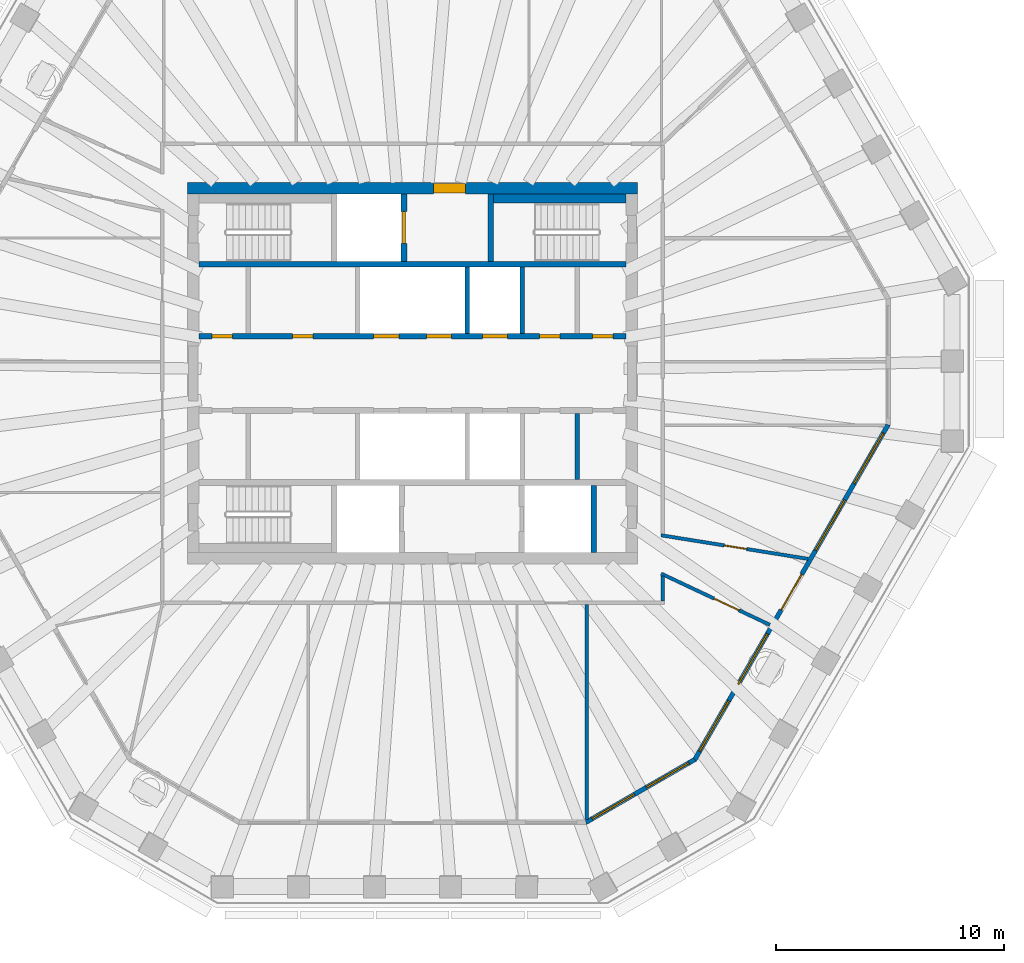
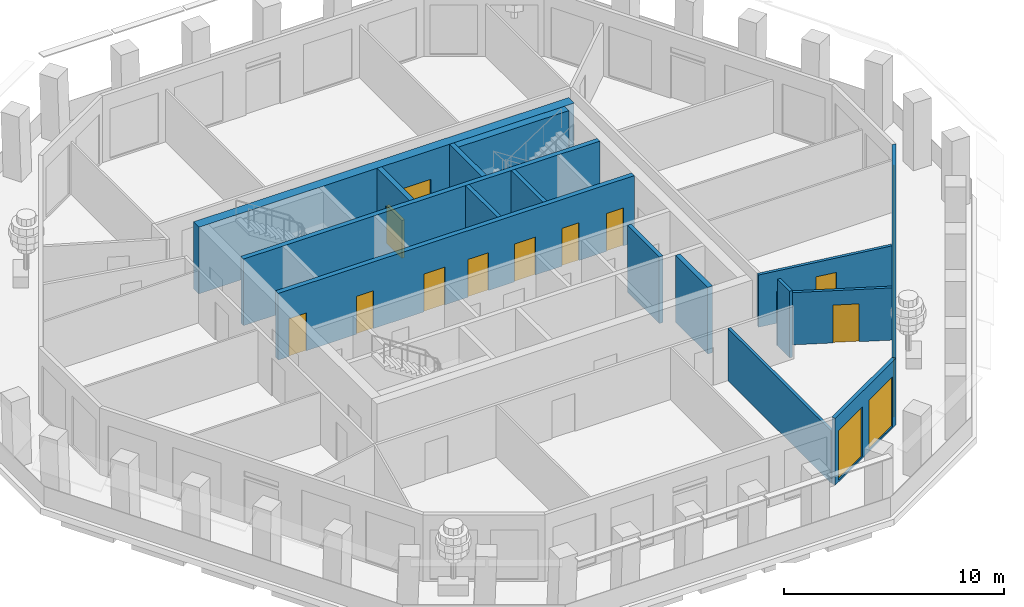
# One storey, part 5 of 11: 16 walls, 12 doors, 7 windows, 19 openings.
"""IFC4 building model written with IfcOpenShell, lengths in metres."""

from ifc_helpers import new_model, si_unit, direction, frame, frame_2d, origin, place, context, subcontext, project, spatial, polyline, rectangle, outline, extrude, material, layer, layer_set, type_object, element, fill, save


model = new_model("IFC4")

# Units and contexts
model_context = context("Model", 3, precision=1e-05, world=origin(), true_north=direction((0.0, 1.0)))
body_context = subcontext(model_context, "Body", "Model", "MODEL_VIEW")
ifc_project = project(units=[si_unit("LENGTHUNIT", "METRE"), si_unit("AREAUNIT", "SQUARE_METRE"), si_unit("VOLUMEUNIT", "CUBIC_METRE"), si_unit("PLANEANGLEUNIT", "RADIAN"), si_unit("MASSUNIT", "GRAM", prefix="KILO")], contexts=[model_context])

# Site, building, storey
site_placement = place(None, origin())
site = spatial("IfcSite", under=ifc_project, at=site_placement, CompositionType="ELEMENT")
building_placement = place(site_placement, origin())
building = spatial("IfcBuilding", under=site, at=building_placement, Name="Frailejon Research Tower", CompositionType="ELEMENT")
storey_placement = place(building_placement, frame((0.0, 0.0, 279.0)))
storey = spatial("IfcBuildingStorey", under=building, at=storey_placement, Name="L61", CompositionType="ELEMENT", Elevation=279.0)

# Wall, opening, door
ifc_material_1 = material(Name="Concrete C50/60", Category="concrete")
ifc_layer_1 = layer(ifc_material_1, 0.5)
ifc_layer_set_1 = layer_set([ifc_layer_1], Name="Core shear wall 500 C50/60")
wall_type_1 = type_object("IfcWallType", Name="Core shear wall 500 C50/60", PredefinedType="SHEAR", material=ifc_layer_set_1)
wall_1_placement = place(storey_placement, frame((-9.85009765625, 8.10009765625, 0.0), z_axis=(0.0, 0.0, 1.0), x_axis=(1.0, 0.0, 0.0)))
wall_1 = element("IfcWall", 1, at=wall_1_placement, inside=storey, type_object=wall_type_1, Name="Core shear wall", PredefinedType="SHEAR", context=body_context, shape_type="SweptSolid", body=[
    extrude(rectangle(XDim=19.7001953125, YDim=0.5, at=frame_2d((9.85009765625, 0.0))), origin(), (0.0, 0.0, 1.0), 3.699951171875),
])
opening_1_placement = place(wall_1_placement, frame((10.77490234375, 0.0, 0.0)))
opening_1 = element("IfcOpeningElement", 2, at=opening_1_placement, cuts=wall_1, Name="Opening D9", PredefinedType="OPENING", context=body_context, shape_type="SweptSolid", body=[
    extrude(rectangle(XDim=1.39990234375, YDim=2.10009765625, at=frame_2d((0.699951171875, 1.050048828125))), frame((0.0, 0.260009765625, 0.0), z_axis=(0.0, -1.0, 0.0), x_axis=(1.0, 0.0, 0.0)), (0.0, 0.0, 1.0), 0.52001953125),
])
ifc_material_2 = material(Name="Steel", Category="steel")
door_type_1 = type_object("IfcDoorType", Name="Goods lobby door", OperationType="DOUBLE_DOOR_SINGLE_SWING", PredefinedType="DOOR", material=ifc_material_2)
door_1_placement = place(opening_1_placement, origin())
door_1 = element("IfcDoor", 3, at=door_1_placement, inside=storey, type_object=door_type_1, Name="Goods lobby door", OperationType="DOUBLE_DOOR_SINGLE_SWING", OverallHeight=2.10009765625, OverallWidth=1.39990234375, PredefinedType="DOOR", context=body_context, shape_type="SweptSolid", body=[
    extrude(rectangle(XDim=1.39990234375, YDim=2.10009765625, at=frame_2d((0.699951171875, 1.050048828125))), frame((0.0, 0.199951171875, 0.0), z_axis=(0.0, -1.0, 0.0), x_axis=(1.0, 0.0, 0.0)), (0.0, 0.0, 1.0), 0.39990234375),
])
fill(opening_1, door_1)

# Wall
ifc_material_3 = material(Name="Gypsum board and masonry partition", Category="masonry")
ifc_layer_2 = layer(ifc_material_3, 0.14990234375)
ifc_layer_set_2 = layer_set([ifc_layer_2], Name="Corridor wall EI 60, gypsum on steel studs 150")
wall_type_2 = type_object("IfcWallType", Name="Corridor wall EI 60, gypsum on steel studs 150", PredefinedType="PARTITIONING", material=ifc_layer_set_2)
wall_2_placement = place(storey_placement, frame((10.949951171875, -9.97509765625, 0.0), z_axis=(0.0, 0.0, 1.0), x_axis=(0.0, 1.0, 0.0)))
element("IfcWall", 4, at=wall_2_placement, inside=storey, type_object=wall_type_2, Name="T:IW:L61:003", PredefinedType="PARTITIONING", context=body_context, shape_type="SweptSolid", body=[
    extrude(rectangle(XDim=1.10009765625, YDim=0.14990234375, at=frame_2d((0.550048828125, 0.0))), origin(), (0.0, 0.0, 1.0), 3.699951171875),
])

# Wall, opening, door
wall_3_placement = place(storey_placement, frame((10.882080078125, -8.76806640625, 0.0), z_axis=(0.0, 0.0, 1.0), x_axis=(0.904688229147, -0.426074181386, 0.0)))
wall_3 = element("IfcWall", 5, at=wall_3_placement, inside=storey, type_object=wall_type_2, Name="T:IW:L61:009", PredefinedType="PARTITIONING", context=body_context, shape_type="SweptSolid", body=[
    extrude(rectangle(XDim=5.26025390625, YDim=0.14990234375, at=frame_2d((2.630126953125, 0.0))), origin(), (0.0, 0.0, 1.0), 2.89990234375),
])
opening_2_placement = place(wall_3_placement, frame((2.560302734375, 0.0, 0.0)))
opening_2 = element("IfcOpeningElement", 6, at=opening_2_placement, cuts=wall_3, Name="Opening D2184", PredefinedType="OPENING", context=body_context, shape_type="SweptSolid", body=[
    extrude(rectangle(XDim=1.199951171875, YDim=2.10009765625, at=frame_2d((0.60009765625, 1.050048828125))), frame((0.0, 0.0849609375, 0.0), z_axis=(0.0, -1.0, 0.0), x_axis=(1.0, 0.0, 0.0)), (0.0, 0.0, 1.0), 0.169921875),
])
ifc_material_4 = material(Name="Timber door leaf", Category="wood")
door_type_2 = type_object("IfcDoorType", Name="Door laboratory, timber, vision panel 1200", OperationType="NOTDEFINED", PredefinedType="DOOR", material=ifc_material_4)
door_2_placement = place(opening_2_placement, origin())
door_2 = element("IfcDoor", 7, at=door_2_placement, inside=storey, type_object=door_type_2, Name="D2184", OperationType="DOUBLE_DOOR_SINGLE_SWING", OverallHeight=2.10009765625, OverallWidth=1.199951171875, PredefinedType="DOOR", context=body_context, shape_type="SweptSolid", body=[
    extrude(rectangle(XDim=1.199951171875, YDim=2.10009765625, at=frame_2d((0.60009765625, 1.050048828125))), frame((0.0, 0.02490234375, 0.0), z_axis=(0.0, -1.0, 0.0), x_axis=(1.0, 0.0, 0.0)), (0.0, 0.0, 1.0), 0.050048828125),
])
fill(opening_2, door_2)

wall_4_placement = place(storey_placement, frame((10.8759765625, -7.088134765625, 0.0), z_axis=(0.0, 0.0, 1.0), x_axis=(0.987349969018, -0.158556105777, 0.0)))
wall_4 = element("IfcWall", 8, at=wall_4_placement, inside=storey, type_object=wall_type_2, Name="T:IW:L61:010", PredefinedType="PARTITIONING", context=body_context, shape_type="SweptSolid", body=[
    extrude(rectangle(XDim=6.514892578125, YDim=0.14990234375, at=frame_2d((3.25732421875, 0.0))), origin(), (0.0, 0.0, 1.0), 2.89990234375),
])
opening_3_placement = place(wall_4_placement, frame((2.794921875, 0.0, 0.0)))
opening_3 = element("IfcOpeningElement", 9, at=opening_3_placement, cuts=wall_4, Name="Opening D2185", PredefinedType="OPENING", context=body_context, shape_type="SweptSolid", body=[
    extrude(rectangle(XDim=1.0, YDim=2.10009765625, at=frame_2d((0.5, 1.050048828125))), frame((0.0, 0.0849609375, 0.0), z_axis=(0.0, -1.0, 0.0), x_axis=(1.0, 0.0, 0.0)), (0.0, 0.0, 1.0), 0.169921875),
])
ifc_material_5 = material(Name="Timber door leaf", Category="wood")
door_type_3 = type_object("IfcDoorType", Name="Door single leaf, timber, steel frame 1000", OperationType="NOTDEFINED", PredefinedType="DOOR", material=ifc_material_5)
door_3_placement = place(opening_3_placement, origin())
door_3 = element("IfcDoor", 10, at=door_3_placement, inside=storey, type_object=door_type_3, Name="D2185", OperationType="SINGLE_SWING_LEFT", OverallHeight=2.10009765625, OverallWidth=1.0, PredefinedType="DOOR", context=body_context, shape_type="SweptSolid", body=[
    extrude(rectangle(XDim=1.0, YDim=2.10009765625, at=frame_2d((0.5, 1.050048828125))), frame((0.0, 0.02490234375, 0.0), z_axis=(0.0, -1.0, 0.0), x_axis=(1.0, 0.0, 0.0)), (0.0, 0.0, 1.0), 0.050048828125),
])
fill(opening_3, door_3)

# Walls
ifc_material_6 = material(Name="Gypsum board and masonry partition", Category="masonry")
ifc_layer_3 = layer(ifc_material_6, 0.14990234375)
ifc_layer_set_3 = layer_set([ifc_layer_3], Name="Laboratory partition, blockwork 150")
wall_type_3 = type_object("IfcWallType", Name="Laboratory partition, blockwork 150", PredefinedType="PARTITIONING", material=ifc_layer_set_3)
wall_5_placement = place(storey_placement, frame((7.615478515625, -19.52197265625, 0.0), z_axis=(0.0, 0.0, 1.0), x_axis=(0.0, 1.0, 0.0)))
element("IfcWall", 11, at=wall_5_placement, inside=storey, type_object=wall_type_3, Name="T:IW:L61:013", PredefinedType="PARTITIONING", context=body_context, shape_type="SweptSolid", body=[
    extrude(rectangle(XDim=9.39697265625, YDim=0.14990234375, at=frame_2d((4.698486328125, 0.0))), origin(), (0.0, 0.0, 1.0), 2.89990234375),
])
ifc_material_7 = material(Name="Concrete C50/60", Category="concrete")
ifc_layer_4 = layer(ifc_material_7, 0.199951171875)
ifc_layer_set_4 = layer_set([ifc_layer_4], Name="Shaft wall 200 C50/60")
wall_type_4 = type_object("IfcWallType", Name="Shaft wall 200 C50/60", PredefinedType="SOLIDWALL", material=ifc_layer_set_4)
for number, where, z_axis, x_axis, name in (
    (12, (2.39990234375, 1.75, 0.0), (0.0, 0.0, 1.0), (0.0, 1.0, 0.0), "Shaft wall"),
    (13, (4.800048828125, 1.75, 0.0), (0.0, 0.0, 1.0), (0.0, 1.0, 0.0), "Shaft wall"),
    (14, (7.199951171875, -4.64990234375, 0.0), (0.0, 0.0, 1.0), (0.0, 1.0, 0.0), "Shaft wall"),
):
    element("IfcWall", number, at=place(storey_placement, frame(where, z_axis=z_axis, x_axis=x_axis)), inside=storey, type_object=wall_type_4, Name=name, PredefinedType="SOLIDWALL", context=body_context, shape_type="SweptSolid", body=[
        extrude(rectangle(XDim=2.89990234375, YDim=0.199951171875, at=frame_2d((1.449951171875, 0.0))), origin(), (0.0, 0.0, 1.0), 3.699951171875),
    ])

# Wall, openings, doors
ifc_material_8 = material(Name="Concrete C50/60", Category="concrete")
ifc_layer_5 = layer(ifc_material_8, 0.25)
ifc_layer_set_5 = layer_set([ifc_layer_5], Name="Shaft wall 250 C50/60")
wall_type_5 = type_object("IfcWallType", Name="Shaft wall 250 C50/60", PredefinedType="SOLIDWALL", material=ifc_layer_set_5)
wall_6_placement = place(storey_placement, frame((-9.35009765625, 1.625, 0.0), z_axis=(0.0, 0.0, 1.0), x_axis=(1.0, 0.0, 0.0)))
wall_6 = element("IfcWall", 15, at=wall_6_placement, inside=storey, type_object=wall_type_5, Name="Shaft wall", PredefinedType="SOLIDWALL", context=body_context, shape_type="SweptSolid", body=[
    extrude(rectangle(XDim=18.7001953125, YDim=0.25, at=frame_2d((9.35009765625, 0.0))), origin(), (0.0, 0.0, 1.0), 3.699951171875),
])
opening_4_placement = place(wall_6_placement, frame((7.64990234375, 0.0, 0.0)))
opening_4 = element("IfcOpeningElement", 16, at=opening_4_placement, cuts=wall_6, Name="Opening LD", PredefinedType="OPENING", context=body_context, shape_type="SweptSolid", body=[
    extrude(rectangle(XDim=1.10009765625, YDim=2.10009765625, at=frame_2d((0.550048828125, 1.050048828125))), frame((0.0, 0.135009765625, 0.0), z_axis=(0.0, -1.0, 0.0), x_axis=(1.0, 0.0, 0.0)), (0.0, 0.0, 1.0), 0.27001953125),
])
opening_5_placement = place(wall_6_placement, frame((9.949951171875, 0.0, 0.0)))
opening_5 = element("IfcOpeningElement", 17, at=opening_5_placement, cuts=wall_6, Name="Opening LD", PredefinedType="OPENING", context=body_context, shape_type="SweptSolid", body=[
    extrude(rectangle(XDim=1.10009765625, YDim=2.10009765625, at=frame_2d((0.550048828125, 1.050048828125))), frame((0.0, 0.135009765625, 0.0), z_axis=(0.0, -1.0, 0.0), x_axis=(1.0, 0.0, 0.0)), (0.0, 0.0, 1.0), 0.27001953125),
])
opening_6_placement = place(wall_6_placement, frame((12.39990234375, 0.0, 0.0)))
opening_6 = element("IfcOpeningElement", 18, at=opening_6_placement, cuts=wall_6, Name="Opening LD", PredefinedType="OPENING", context=body_context, shape_type="SweptSolid", body=[
    extrude(rectangle(XDim=1.10009765625, YDim=2.10009765625, at=frame_2d((0.550048828125, 1.050048828125))), frame((0.0, 0.135009765625, 0.0), z_axis=(0.0, -1.0, 0.0), x_axis=(1.0, 0.0, 0.0)), (0.0, 0.0, 1.0), 0.27001953125),
])
opening_7_placement = place(wall_6_placement, frame((0.574951171875, 0.0, 0.0)))
opening_7 = element("IfcOpeningElement", 19, at=opening_7_placement, cuts=wall_6, Name="Opening D8", PredefinedType="OPENING", context=body_context, shape_type="SweptSolid", body=[
    extrude(rectangle(XDim=0.89990234375, YDim=2.10009765625, at=frame_2d((0.449951171875, 1.050048828125))), frame((0.0, 0.135009765625, 0.0), z_axis=(0.0, -1.0, 0.0), x_axis=(1.0, 0.0, 0.0)), (0.0, 0.0, 1.0), 0.27001953125),
])
opening_8_placement = place(wall_6_placement, frame((4.10009765625, 0.0, 0.0)))
opening_8 = element("IfcOpeningElement", 20, at=opening_8_placement, cuts=wall_6, Name="Opening D8", PredefinedType="OPENING", context=body_context, shape_type="SweptSolid", body=[
    extrude(rectangle(XDim=0.89990234375, YDim=2.10009765625, at=frame_2d((0.449951171875, 1.050048828125))), frame((0.0, 0.135009765625, 0.0), z_axis=(0.0, -1.0, 0.0), x_axis=(1.0, 0.0, 0.0)), (0.0, 0.0, 1.0), 0.27001953125),
])
opening_9_placement = place(wall_6_placement, frame((14.89990234375, 0.0, 0.0)))
opening_9 = element("IfcOpeningElement", 21, at=opening_9_placement, cuts=wall_6, Name="Opening D8", PredefinedType="OPENING", context=body_context, shape_type="SweptSolid", body=[
    extrude(rectangle(XDim=0.89990234375, YDim=2.10009765625, at=frame_2d((0.449951171875, 1.050048828125))), frame((0.0, 0.135009765625, 0.0), z_axis=(0.0, -1.0, 0.0), x_axis=(1.0, 0.0, 0.0)), (0.0, 0.0, 1.0), 0.27001953125),
])
opening_10_placement = place(wall_6_placement, frame((17.22509765625, 0.0, 0.0)))
opening_10 = element("IfcOpeningElement", 22, at=opening_10_placement, cuts=wall_6, Name="Opening D8", PredefinedType="OPENING", context=body_context, shape_type="SweptSolid", body=[
    extrude(rectangle(XDim=0.89990234375, YDim=2.10009765625, at=frame_2d((0.449951171875, 1.050048828125))), frame((0.0, 0.135009765625, 0.0), z_axis=(0.0, -1.0, 0.0), x_axis=(1.0, 0.0, 0.0)), (0.0, 0.0, 1.0), 0.27001953125),
])
ifc_material_9 = material(Name="Steel", Category="steel")
door_type_4 = type_object("IfcDoorType", Name="Core room door", OperationType="SINGLE_SWING_LEFT", PredefinedType="DOOR", material=ifc_material_9)
door_4_placement = place(opening_7_placement, origin())
door_4 = element("IfcDoor", 23, at=door_4_placement, inside=storey, type_object=door_type_4, Name="Room door", OperationType="SINGLE_SWING_RIGHT", OverallHeight=2.10009765625, OverallWidth=0.89990234375, PredefinedType="DOOR", context=body_context, shape_type="SweptSolid", body=[
    extrude(rectangle(XDim=0.89990234375, YDim=2.10009765625, at=frame_2d((0.449951171875, 1.050048828125))), frame((0.0, 0.074951171875, 0.0), z_axis=(0.0, -1.0, 0.0), x_axis=(1.0, 0.0, 0.0)), (0.0, 0.0, 1.0), 0.14990234375),
])
fill(opening_7, door_4)
door_5_placement = place(opening_8_placement, origin())
door_5 = element("IfcDoor", 24, at=door_5_placement, inside=storey, type_object=door_type_4, Name="Room door", OperationType="SINGLE_SWING_LEFT", OverallHeight=2.10009765625, OverallWidth=0.89990234375, PredefinedType="DOOR", context=body_context, shape_type="SweptSolid", body=[
    extrude(rectangle(XDim=0.89990234375, YDim=2.10009765625, at=frame_2d((0.449951171875, 1.050048828125))), frame((0.0, 0.074951171875, 0.0), z_axis=(0.0, -1.0, 0.0), x_axis=(1.0, 0.0, 0.0)), (0.0, 0.0, 1.0), 0.14990234375),
])
fill(opening_8, door_5)
door_6_placement = place(opening_9_placement, origin())
door_6 = element("IfcDoor", 25, at=door_6_placement, inside=storey, type_object=door_type_4, Name="Room door", OperationType="SINGLE_SWING_RIGHT", OverallHeight=2.10009765625, OverallWidth=0.89990234375, PredefinedType="DOOR", context=body_context, shape_type="SweptSolid", body=[
    extrude(rectangle(XDim=0.89990234375, YDim=2.10009765625, at=frame_2d((0.449951171875, 1.050048828125))), frame((0.0, 0.074951171875, 0.0), z_axis=(0.0, -1.0, 0.0), x_axis=(1.0, 0.0, 0.0)), (0.0, 0.0, 1.0), 0.14990234375),
])
fill(opening_9, door_6)
door_7_placement = place(opening_10_placement, origin())
door_7 = element("IfcDoor", 26, at=door_7_placement, inside=storey, type_object=door_type_4, Name="Room door", OperationType="SINGLE_SWING_LEFT", OverallHeight=2.10009765625, OverallWidth=0.89990234375, PredefinedType="DOOR", context=body_context, shape_type="SweptSolid", body=[
    extrude(rectangle(XDim=0.89990234375, YDim=2.10009765625, at=frame_2d((0.449951171875, 1.050048828125))), frame((0.0, 0.074951171875, 0.0), z_axis=(0.0, -1.0, 0.0), x_axis=(1.0, 0.0, 0.0)), (0.0, 0.0, 1.0), 0.14990234375),
])
fill(opening_10, door_7)
ifc_material_10 = material(Name="Steel", Category="steel")
door_type_5 = type_object("IfcDoorType", Name="Lift landing door", OperationType="DOUBLE_DOOR_SLIDING", PredefinedType="DOOR", material=ifc_material_10)
door_8_placement = place(opening_4_placement, origin())
door_8 = element("IfcDoor", 27, at=door_8_placement, inside=storey, type_object=door_type_5, Name="Lift landing door", OperationType="DOUBLE_DOOR_SLIDING", OverallHeight=2.10009765625, OverallWidth=1.10009765625, PredefinedType="DOOR", context=body_context, shape_type="SweptSolid", body=[
    extrude(rectangle(XDim=1.10009765625, YDim=2.10009765625, at=frame_2d((0.550048828125, 1.050048828125))), frame((0.0, 0.074951171875, 0.0), z_axis=(0.0, -1.0, 0.0), x_axis=(1.0, 0.0, 0.0)), (0.0, 0.0, 1.0), 0.14990234375),
])
fill(opening_4, door_8)
door_9_placement = place(opening_5_placement, origin())
door_9 = element("IfcDoor", 28, at=door_9_placement, inside=storey, type_object=door_type_5, Name="Lift landing door", OperationType="DOUBLE_DOOR_SLIDING", OverallHeight=2.10009765625, OverallWidth=1.10009765625, PredefinedType="DOOR", context=body_context, shape_type="SweptSolid", body=[
    extrude(rectangle(XDim=1.10009765625, YDim=2.10009765625, at=frame_2d((0.550048828125, 1.050048828125))), frame((0.0, 0.074951171875, 0.0), z_axis=(0.0, -1.0, 0.0), x_axis=(1.0, 0.0, 0.0)), (0.0, 0.0, 1.0), 0.14990234375),
])
fill(opening_5, door_9)
door_10_placement = place(opening_6_placement, origin())
door_10 = element("IfcDoor", 29, at=door_10_placement, inside=storey, type_object=door_type_5, Name="Lift landing door", OperationType="DOUBLE_DOOR_SLIDING", OverallHeight=2.10009765625, OverallWidth=1.10009765625, PredefinedType="DOOR", context=body_context, shape_type="SweptSolid", body=[
    extrude(rectangle(XDim=1.10009765625, YDim=2.10009765625, at=frame_2d((0.550048828125, 1.050048828125))), frame((0.0, 0.074951171875, 0.0), z_axis=(0.0, -1.0, 0.0), x_axis=(1.0, 0.0, 0.0)), (0.0, 0.0, 1.0), 0.14990234375),
])
fill(opening_6, door_10)

# Wall
wall_7_placement = place(storey_placement, frame((-9.35009765625, 4.77490234375, 0.0), z_axis=(0.0, 0.0, 1.0), x_axis=(1.0, 0.0, 0.0)))
element("IfcWall", 30, at=wall_7_placement, inside=storey, type_object=wall_type_5, Name="Shaft wall", PredefinedType="SOLIDWALL", context=body_context, shape_type="SweptSolid", body=[
    extrude(rectangle(XDim=18.7001953125, YDim=0.25, at=frame_2d((9.35009765625, 0.0))), origin(), (0.0, 0.0, 1.0), 3.699951171875),
])

# Wall, opening, door
wall_8_placement = place(storey_placement, frame((-0.375, 4.89990234375, 0.0), z_axis=(0.0, 0.0, 1.0), x_axis=(0.0, 1.0, 0.0)))
wall_8 = element("IfcWall", 31, at=wall_8_placement, inside=storey, type_object=wall_type_5, Name="Shaft wall", PredefinedType="SOLIDWALL", context=body_context, shape_type="SweptSolid", body=[
    extrude(rectangle(XDim=2.9501953125, YDim=0.25, at=frame_2d((1.47509765625, 0.0))), origin(), (0.0, 0.0, 1.0), 3.699951171875),
])
opening_11_placement = place(wall_8_placement, frame((0.77490234375, 0.0, 0.0)))
opening_11 = element("IfcOpeningElement", 32, at=opening_11_placement, cuts=wall_8, Name="Opening LD2", PredefinedType="OPENING", context=body_context, shape_type="SweptSolid", body=[
    extrude(rectangle(XDim=1.39990234375, YDim=2.10009765625, at=frame_2d((0.699951171875, 1.050048828125))), frame((0.0, 0.135009765625, 0.0), z_axis=(0.0, -1.0, 0.0), x_axis=(1.0, 0.0, 0.0)), (0.0, 0.0, 1.0), 0.27001953125),
])
ifc_material_11 = material(Name="Stainless steel", Category="steel")
door_type_6 = type_object("IfcDoorType", Name="Goods landing door", OperationType="DOUBLE_DOOR_SLIDING", PredefinedType="DOOR", material=ifc_material_11)
door_11_placement = place(opening_11_placement, origin())
door_11 = element("IfcDoor", 33, at=door_11_placement, inside=storey, type_object=door_type_6, Name="Lift landing door", OperationType="DOUBLE_DOOR_SLIDING", OverallHeight=2.10009765625, OverallWidth=1.39990234375, PredefinedType="DOOR", context=body_context, shape_type="SweptSolid", body=[
    extrude(rectangle(XDim=1.39990234375, YDim=2.10009765625, at=frame_2d((0.699951171875, 1.050048828125))), frame((0.0, 0.074951171875, 0.0), z_axis=(0.0, -1.0, 0.0), x_axis=(1.0, 0.0, 0.0)), (0.0, 0.0, 1.0), 0.14990234375),
])
fill(opening_11, door_11)

# Walls
for number, where, z_axis, x_axis, name in (
    (34, (3.425048828125, 4.89990234375, 0.0), (0.0, 0.0, 1.0), (0.0, 1.0, 0.0), "Shaft wall"),
    (35, (7.925048828125, -7.85009765625, 0.0), (0.0, 0.0, 1.0), (0.0, 1.0, 0.0), "Shaft wall"),
):
    element("IfcWall", number, at=place(storey_placement, frame(where, z_axis=z_axis, x_axis=x_axis)), inside=storey, type_object=wall_type_5, Name=name, PredefinedType="SOLIDWALL", context=body_context, shape_type="SweptSolid", body=[
        extrude(rectangle(XDim=2.9501953125, YDim=0.25, at=frame_2d((1.47509765625, 0.0))), origin(), (0.0, 0.0, 1.0), 3.699951171875),
    ])
ifc_material_12 = material(Name="Concrete C50/60", Category="concrete")
ifc_layer_6 = layer(ifc_material_12, 0.39990234375)
ifc_layer_set_6 = layer_set([ifc_layer_6], Name="Shaft wall 400 C50/60")
wall_type_6 = type_object("IfcWallType", Name="Shaft wall 400 C50/60", PredefinedType="SOLIDWALL", material=ifc_layer_set_6)
wall_9_placement = place(storey_placement, frame((3.550048828125, 7.64990234375, 0.0), z_axis=(0.0, 0.0, 1.0), x_axis=(1.0, 0.0, 0.0)))
element("IfcWall", 36, at=wall_9_placement, inside=storey, type_object=wall_type_6, Name="Shaft wall", PredefinedType="SOLIDWALL", context=body_context, shape_type="SweptSolid", body=[
    extrude(rectangle(XDim=5.800048828125, YDim=0.39990234375, at=frame_2d((2.89990234375, 0.0))), origin(), (0.0, 0.0, 1.0), 3.699951171875),
])

# Wall, openings, windows
ifc_material_13 = material(Name="Concrete C40/50 precast window wall panel", Category="concrete")
ifc_layer_7 = layer(ifc_material_13, 0.199951171875)
ifc_layer_set_7 = layer_set([ifc_layer_7], Name="Window wall 200")
wall_type_7 = type_object("IfcWallType", Name="Window wall 200", PredefinedType="SOLIDWALL", material=ifc_layer_set_7)
wall_10_placement = place(storey_placement, frame((7.588623046875, -19.65283203125, 0.0), z_axis=(0.0, 0.0, 1.0), x_axis=(0.866026017613, 0.499998936816, 0.0)))
wall_10 = element("IfcWall", 37, at=wall_10_placement, inside=storey, type_object=wall_type_7, Name="Exterior wall L61", PredefinedType="SOLIDWALL", context=body_context, shape_type="SweptSolid", body=[
    extrude(outline(polyline([(-0.02685546875, -0.10009765625), (1.08447265625, -0.10009765625), (2.196044921875, -0.10009765625), (3.307373046875, -0.10009765625), (4.4189453125, -0.10009765625), (5.5302734375, -0.10009765625), (5.4765625, 0.10009765625), (4.38671875, 0.10009765625), (3.296630859375, 0.10009765625), (2.206787109375, 0.10009765625), (1.11669921875, 0.10009765625), (0.02685546875, 0.10009765625), (-0.02685546875, -0.10009765625)])), origin(), (0.0, 0.0, 1.0), 3.699951171875),
])
opening_12_placement = place(wall_10_placement, frame((0.30078125, 0.0, 0.10009765625)))
opening_12 = element("IfcOpeningElement", 38, at=opening_12_placement, cuts=wall_10, Name="Opening W22", PredefinedType="OPENING", context=body_context, shape_type="SweptSolid", body=[
    extrude(rectangle(XDim=2.14990234375, YDim=2.75, at=frame_2d((1.074951171875, 1.375))), frame((0.0, 0.10986328125, 0.0), z_axis=(0.0, -1.0, 0.0), x_axis=(1.0, 0.0, 0.0)), (0.0, 0.0, 1.0), 0.219970703125),
])
opening_13_placement = place(wall_10_placement, frame((3.052490234375, 0.0, 0.10009765625)))
opening_13 = element("IfcOpeningElement", 39, at=opening_13_placement, cuts=wall_10, Name="Opening W22", PredefinedType="OPENING", context=body_context, shape_type="SweptSolid", body=[
    extrude(rectangle(XDim=2.14990234375, YDim=2.75, at=frame_2d((1.074951171875, 1.375))), frame((0.0, 0.10986328125, 0.0), z_axis=(0.0, -1.0, 0.0), x_axis=(1.0, 0.0, 0.0)), (0.0, 0.0, 1.0), 0.219970703125),
])
ifc_material_14 = material(Name="Aluminium framed double glazing", Category="aluminium")
window_type_1 = type_object("IfcWindowType", Name="Window 2150x2750", PartitioningType="SINGLE_PANEL", PredefinedType="WINDOW", material=ifc_material_14)
window_1_placement = place(opening_12_placement, origin())
window_1 = element("IfcWindow", 40, at=window_1_placement, inside=storey, type_object=window_type_1, Name="Window L61", OverallHeight=2.75, OverallWidth=2.14990234375, PartitioningType="SINGLE_PANEL", PredefinedType="WINDOW", context=body_context, shape_type="SweptSolid", body=[
    extrude(rectangle(XDim=2.14990234375, YDim=2.75, at=frame_2d((1.074951171875, 1.375))), frame((0.0, 0.030029296875, 0.0), z_axis=(0.0, -1.0, 0.0), x_axis=(1.0, 0.0, 0.0)), (0.0, 0.0, 1.0), 0.06005859375),
])
fill(opening_12, window_1)
window_2_placement = place(opening_13_placement, origin())
window_2 = element("IfcWindow", 41, at=window_2_placement, inside=storey, type_object=window_type_1, Name="Window L61", OverallHeight=2.75, OverallWidth=2.14990234375, PartitioningType="SINGLE_PANEL", PredefinedType="WINDOW", context=body_context, shape_type="SweptSolid", body=[
    extrude(rectangle(XDim=2.14990234375, YDim=2.75, at=frame_2d((1.074951171875, 1.375))), frame((0.0, 0.030029296875, 0.0), z_axis=(0.0, -1.0, 0.0), x_axis=(1.0, 0.0, 0.0)), (0.0, 0.0, 1.0), 0.06005859375),
])
fill(opening_13, window_2)

# Wall, openings, door, windows
wall_11_placement = place(storey_placement, frame((12.354736328125, -16.901123046875, 0.0), z_axis=(0.0, 0.0, 1.0), x_axis=(0.499997253739, 0.866026989333, 0.0)))
wall_11 = element("IfcWall", 42, at=wall_11_placement, inside=storey, type_object=wall_type_7, Name="Exterior wall L61", PredefinedType="SOLIDWALL", context=body_context, shape_type="SweptSolid", body=[
    extrude(outline(polyline([(-0.02685546875, -0.10009765625), (1.033935546875, -0.10009765625), (2.0947265625, -0.10009765625), (3.155517578125, -0.10009765625), (4.21630859375, -0.10009765625), (5.277099609375, -0.10009765625), (6.337890625, -0.10009765625), (7.398681640625, -0.10009765625), (8.45947265625, -0.10009765625), (9.520263671875, -0.10009765625), (10.5810546875, -0.10009765625), (11.641845703125, -0.10009765625), (12.70263671875, -0.10009765625), (13.763427734375, -0.10009765625), (14.82421875, -0.10009765625), (15.885009765625, -0.10009765625), (16.94580078125, -0.10009765625), (16.89208984375, 0.10009765625), (15.837890625, 0.10009765625), (14.783935546875, 0.10009765625), (13.72998046875, 0.10009765625), (12.67578125, 0.10009765625), (11.62158203125, 0.10009765625), (10.567626953125, 0.10009765625), (9.513671875, 0.10009765625), (8.45947265625, 0.10009765625), (7.4052734375, 0.10009765625), (6.351318359375, 0.10009765625), (5.29736328125, 0.10009765625), (4.2431640625, 0.10009765625), (3.18896484375, 0.10009765625), (2.135009765625, 0.10009765625), (1.0810546875, 0.10009765625), (0.02685546875, 0.10009765625), (-0.02685546875, -0.10009765625)])), origin(), (0.0, 0.0, 1.0), 3.699951171875),
])
opening_14_placement = place(wall_11_placement, frame((0.4169921875, 0.0, 0.10009765625)))
opening_14 = element("IfcOpeningElement", 43, at=opening_14_placement, cuts=wall_11, Name="Opening W25", PredefinedType="OPENING", context=body_context, shape_type="SweptSolid", body=[
    extrude(rectangle(XDim=2.550048828125, YDim=2.75, at=frame_2d((1.27490234375, 1.375))), frame((0.0, 0.10986328125, 0.0), z_axis=(0.0, -1.0, 0.0), x_axis=(1.0, 0.0, 0.0)), (0.0, 0.0, 1.0), 0.219970703125),
])
opening_15_placement = place(wall_11_placement, frame((3.80078125, 0.0, 0.10009765625)))
opening_15 = element("IfcOpeningElement", 44, at=opening_15_placement, cuts=wall_11, Name="Opening W25", PredefinedType="OPENING", context=body_context, shape_type="SweptSolid", body=[
    extrude(rectangle(XDim=2.550048828125, YDim=2.75, at=frame_2d((1.27490234375, 1.375))), frame((0.0, 0.10986328125, 0.0), z_axis=(0.0, -1.0, 0.0), x_axis=(1.0, 0.0, 0.0)), (0.0, 0.0, 1.0), 0.219970703125),
])
opening_16_placement = place(wall_11_placement, frame((7.5595703125, 0.0, 0.0)))
opening_16 = element("IfcOpeningElement", 45, at=opening_16_placement, cuts=wall_11, Name="Opening LG61-6", PredefinedType="OPENING", context=body_context, shape_type="SweptSolid", body=[
    extrude(rectangle(XDim=1.800048828125, YDim=2.39990234375, at=frame_2d((0.89990234375, 1.199951171875))), frame((0.0, 0.10986328125, 0.0), z_axis=(0.0, -1.0, 0.0), x_axis=(1.0, 0.0, 0.0)), (0.0, 0.0, 1.0), 0.219970703125),
])
opening_17_placement = place(wall_11_placement, frame((7.5595703125, 0.0, 2.550048828125)))
opening_17 = element("IfcOpeningElement", 46, at=opening_17_placement, cuts=wall_11, Name="Opening W24", PredefinedType="OPENING", context=body_context, shape_type="SweptSolid", body=[
    extrude(rectangle(XDim=1.800048828125, YDim=0.300048828125, at=frame_2d((0.89990234375, 0.14990234375))), frame((0.0, 0.10986328125, 0.0), z_axis=(0.0, -1.0, 0.0), x_axis=(1.0, 0.0, 0.0)), (0.0, 0.0, 1.0), 0.219970703125),
])
opening_18_placement = place(wall_11_placement, frame((10.568359375, 0.0, 0.10009765625)))
opening_18 = element("IfcOpeningElement", 47, at=opening_18_placement, cuts=wall_11, Name="Opening W25", PredefinedType="OPENING", context=body_context, shape_type="SweptSolid", body=[
    extrude(rectangle(XDim=2.550048828125, YDim=2.75, at=frame_2d((1.27490234375, 1.375))), frame((0.0, 0.10986328125, 0.0), z_axis=(0.0, -1.0, 0.0), x_axis=(1.0, 0.0, 0.0)), (0.0, 0.0, 1.0), 0.219970703125),
])
opening_19_placement = place(wall_11_placement, frame((13.951904296875, 0.0, 0.10009765625)))
opening_19 = element("IfcOpeningElement", 48, at=opening_19_placement, cuts=wall_11, Name="Opening W25", PredefinedType="OPENING", context=body_context, shape_type="SweptSolid", body=[
    extrude(rectangle(XDim=2.550048828125, YDim=2.75, at=frame_2d((1.27490234375, 1.375))), frame((0.0, 0.10986328125, 0.0), z_axis=(0.0, -1.0, 0.0), x_axis=(1.0, 0.0, 0.0)), (0.0, 0.0, 1.0), 0.219970703125),
])
ifc_material_15 = material(Name="Aluminium framed glazed door leaf", Category="aluminium")
door_type_7 = type_object("IfcDoorType", Name="Loggia door 1800x2400", OperationType="DOUBLE_DOOR_SINGLE_SWING", PredefinedType="DOOR", material=ifc_material_15)
door_12_placement = place(opening_16_placement, origin())
door_12 = element("IfcDoor", 49, at=door_12_placement, inside=storey, type_object=door_type_7, Name="Door LG61-6", OperationType="DOUBLE_DOOR_SINGLE_SWING", OverallHeight=2.39990234375, OverallWidth=1.800048828125, PredefinedType="DOOR", context=body_context, shape_type="SweptSolid", body=[
    extrude(rectangle(XDim=1.800048828125, YDim=2.39990234375, at=frame_2d((0.89990234375, 1.199951171875))), frame((0.0, 0.02490234375, 0.0), z_axis=(0.0, -1.0, 0.0), x_axis=(1.0, 0.0, 0.0)), (0.0, 0.0, 1.0), 0.050048828125),
])
fill(opening_16, door_12)
ifc_material_16 = material(Name="Aluminium framed double glazing", Category="aluminium")
window_type_2 = type_object("IfcWindowType", Name="Window 1800x300", PartitioningType="SINGLE_PANEL", PredefinedType="WINDOW", material=ifc_material_16)
window_3_placement = place(opening_17_placement, origin())
window_3 = element("IfcWindow", 50, at=window_3_placement, inside=storey, type_object=window_type_2, Name="Window L61", OverallHeight=0.300048828125, OverallWidth=1.800048828125, PartitioningType="SINGLE_PANEL", PredefinedType="WINDOW", context=body_context, shape_type="SweptSolid", body=[
    extrude(rectangle(XDim=1.800048828125, YDim=0.300048828125, at=frame_2d((0.89990234375, 0.14990234375))), frame((0.0, 0.030029296875, 0.0), z_axis=(0.0, -1.0, 0.0), x_axis=(1.0, 0.0, 0.0)), (0.0, 0.0, 1.0), 0.06005859375),
])
fill(opening_17, window_3)
ifc_material_17 = material(Name="Aluminium framed double glazing", Category="aluminium")
window_type_3 = type_object("IfcWindowType", Name="Window 2550x2750", PartitioningType="SINGLE_PANEL", PredefinedType="WINDOW", material=ifc_material_17)
window_4_placement = place(opening_14_placement, origin())
window_4 = element("IfcWindow", 51, at=window_4_placement, inside=storey, type_object=window_type_3, Name="Window L61", OverallHeight=2.75, OverallWidth=2.550048828125, PartitioningType="SINGLE_PANEL", PredefinedType="WINDOW", context=body_context, shape_type="SweptSolid", body=[
    extrude(rectangle(XDim=2.550048828125, YDim=2.75, at=frame_2d((1.27490234375, 1.375))), frame((0.0, 0.030029296875, 0.0), z_axis=(0.0, -1.0, 0.0), x_axis=(1.0, 0.0, 0.0)), (0.0, 0.0, 1.0), 0.06005859375),
])
fill(opening_14, window_4)
window_5_placement = place(opening_15_placement, origin())
window_5 = element("IfcWindow", 52, at=window_5_placement, inside=storey, type_object=window_type_3, Name="Window L61", OverallHeight=2.75, OverallWidth=2.550048828125, PartitioningType="SINGLE_PANEL", PredefinedType="WINDOW", context=body_context, shape_type="SweptSolid", body=[
    extrude(rectangle(XDim=2.550048828125, YDim=2.75, at=frame_2d((1.27490234375, 1.375))), frame((0.0, 0.030029296875, 0.0), z_axis=(0.0, -1.0, 0.0), x_axis=(1.0, 0.0, 0.0)), (0.0, 0.0, 1.0), 0.06005859375),
])
fill(opening_15, window_5)
window_6_placement = place(opening_18_placement, origin())
window_6 = element("IfcWindow", 53, at=window_6_placement, inside=storey, type_object=window_type_3, Name="Window L61", OverallHeight=2.75, OverallWidth=2.550048828125, PartitioningType="SINGLE_PANEL", PredefinedType="WINDOW", context=body_context, shape_type="SweptSolid", body=[
    extrude(rectangle(XDim=2.550048828125, YDim=2.75, at=frame_2d((1.27490234375, 1.375))), frame((0.0, 0.030029296875, 0.0), z_axis=(0.0, -1.0, 0.0), x_axis=(1.0, 0.0, 0.0)), (0.0, 0.0, 1.0), 0.06005859375),
])
fill(opening_18, window_6)
window_7_placement = place(opening_19_placement, origin())
window_7 = element("IfcWindow", 54, at=window_7_placement, inside=storey, type_object=window_type_3, Name="Window L61", OverallHeight=2.75, OverallWidth=2.550048828125, PartitioningType="SINGLE_PANEL", PredefinedType="WINDOW", context=body_context, shape_type="SweptSolid", body=[
    extrude(rectangle(XDim=2.550048828125, YDim=2.75, at=frame_2d((1.27490234375, 1.375))), frame((0.0, 0.030029296875, 0.0), z_axis=(0.0, -1.0, 0.0), x_axis=(1.0, 0.0, 0.0)), (0.0, 0.0, 1.0), 0.06005859375),
])
fill(opening_19, window_7)

save(model, "model.ifc")
